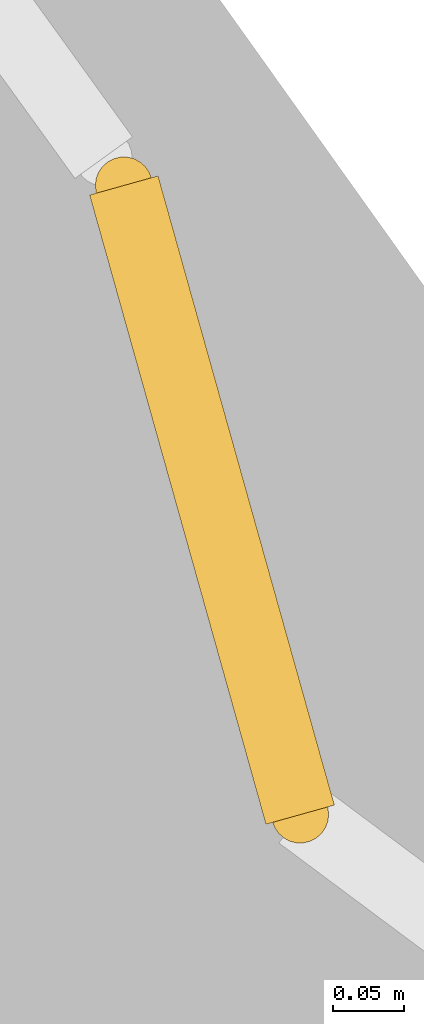
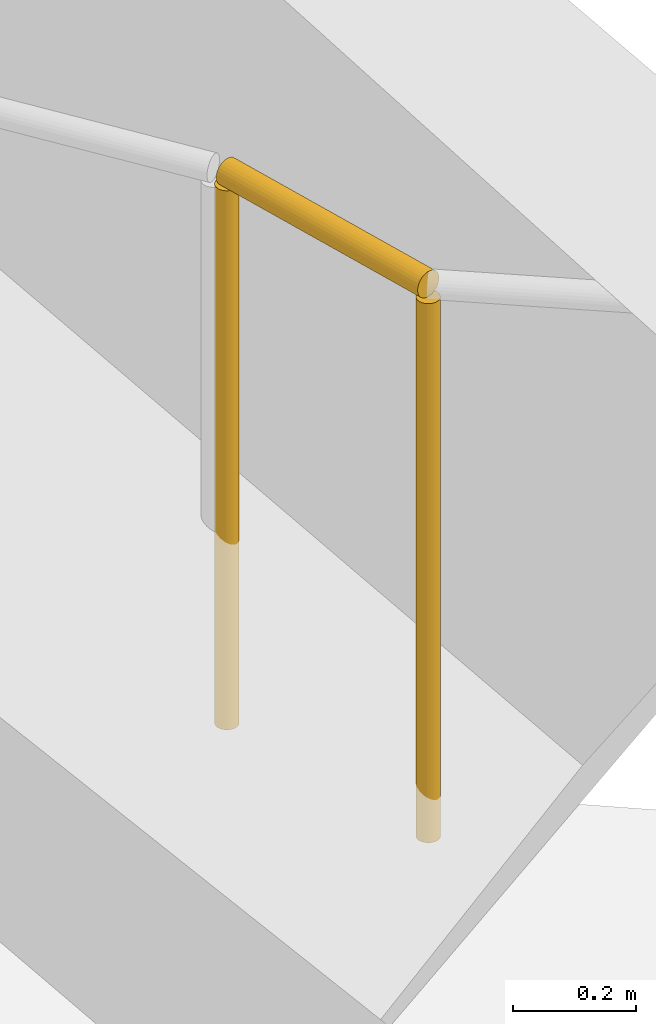
# One storey, part 28 of 28: 1 railing.
"""IFC4 building model written with IfcOpenShell, lengths in metres."""

from ifc_helpers import new_model, si_unit, direction, frame, origin, origin_2d, place, context, subcontext, project, spatial, circle, extrude, material, type_object, element, save


model = new_model("IFC4")

# Units and contexts
model_context = context("Model", 3, precision=1e-05, world=origin(), true_north=direction((0.0, 1.0)))
body_context = subcontext(model_context, "Body", "Model", "MODEL_VIEW")
ifc_project = project(units=[si_unit("LENGTHUNIT", "METRE"), si_unit("AREAUNIT", "SQUARE_METRE"), si_unit("VOLUMEUNIT", "CUBIC_METRE"), si_unit("PLANEANGLEUNIT", "RADIAN"), si_unit("MASSUNIT", "GRAM", prefix="KILO")], contexts=[model_context])

# Site, building, storey
site_placement = place(None, origin())
site = spatial("IfcSite", under=ifc_project, at=site_placement, CompositionType="ELEMENT")
building_placement = place(site_placement, origin())
building = spatial("IfcBuilding", under=site, at=building_placement, Name="Orlundy Tower", CompositionType="ELEMENT")
storey_placement = place(building_placement, frame((0.0, 0.0, 163.10009765625)))
storey = spatial("IfcBuildingStorey", under=building, at=storey_placement, Name="L42", CompositionType="ELEMENT", Elevation=163.10009765625)

# Railing
ifc_material = material(Name="Stainless steel bronze finish", Category="steel")
railing_type = type_object("IfcRailingType", Name="TG1 terrace guard", PredefinedType="GUARDRAIL", material=ifc_material)
railing_placement = place(storey_placement, frame((38.117919921875, 15.5205078125, 0.0)))
element("IfcRailing", 1, at=railing_placement, inside=storey, type_object=railing_type, Name="Guard TG-L42-E032", PredefinedType="GUARDRAIL", context=body_context, shape_type="SweptSolid", body=[
    extrude(circle(Radius=0.02490234375, at=origin_2d()), frame((0.0, 0.0, 1.09521484375), z_axis=(0.269788134976, -0.96291970705, 0.0), x_axis=(0.96291970705, 0.269788134976, 0.0)), (0.0, 0.0, 1.0), 0.4580078125),
    extrude(circle(Radius=0.02001953125, at=origin_2d()), origin(), (0.0, 0.0, 1.0), 1.070068359375),
    extrude(circle(Radius=0.02001953125, at=origin_2d()), frame((0.12353515625, -0.44091796875, 0.0)), (0.0, 0.0, 1.0), 1.070068359375),
])

save(model, "model.ifc")
